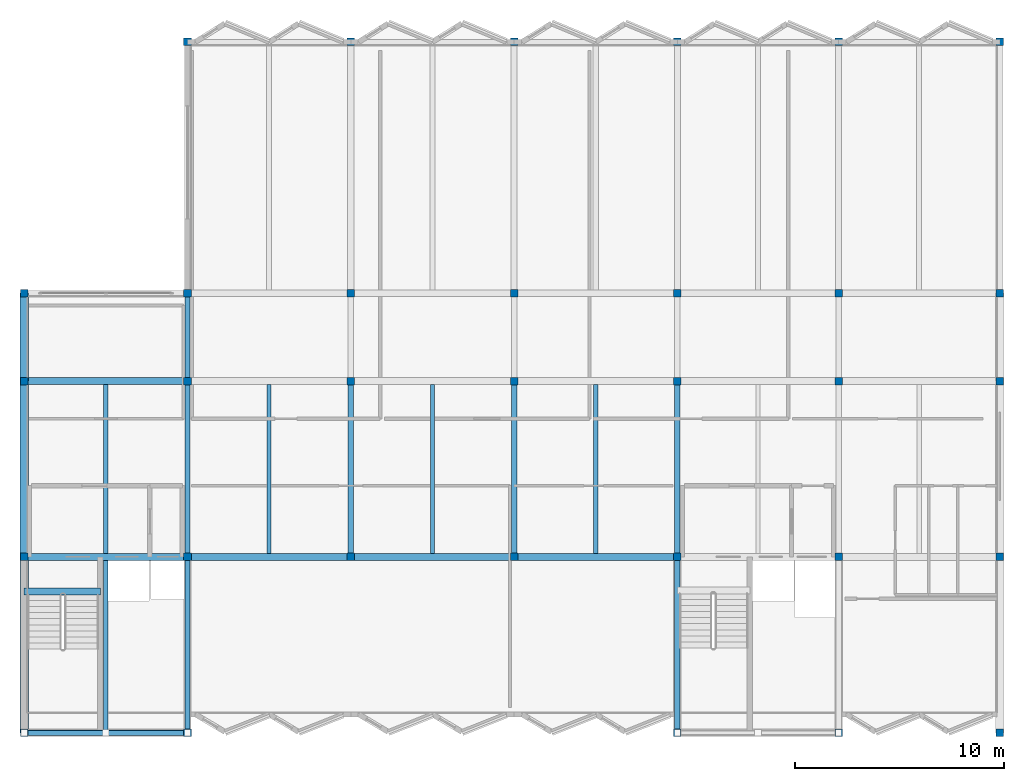
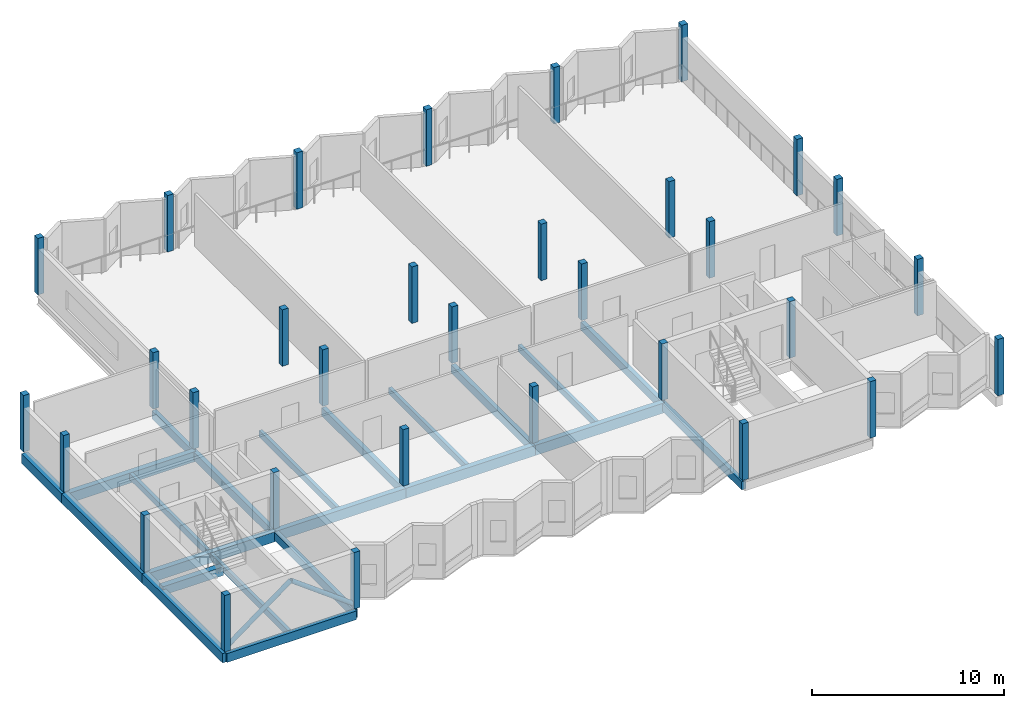
# One storey, part 1 of 11: 32 columns, 22 beams, 2 members.
"""IFC4 building model written with IfcOpenShell, lengths in metres."""

from ifc_helpers import new_model, si_unit, direction, frame, origin, origin_2d, place, context, subcontext, project, spatial, rectangle, hollow_circle, extrude, material, material_profile, profile_set, type_object, element, save


model = new_model("IFC4")

# Units and contexts
model_context = context("Model", 3, precision=1e-05, world=origin(), true_north=direction((0.0, 1.0)))
body_context = subcontext(model_context, "Body", "Model", "MODEL_VIEW")
ifc_project = project(units=[si_unit("LENGTHUNIT", "METRE"), si_unit("AREAUNIT", "SQUARE_METRE"), si_unit("VOLUMEUNIT", "CUBIC_METRE"), si_unit("PLANEANGLEUNIT", "RADIAN"), si_unit("MASSUNIT", "GRAM", prefix="KILO")], contexts=[model_context])

# Site, building, storey
site_placement = place(None, origin())
site = spatial("IfcSite", under=ifc_project, at=site_placement, CompositionType="ELEMENT")
building_placement = place(site_placement, origin())
building = spatial("IfcBuilding", under=site, at=building_placement, Name="Vharandega Faculty of Natural Sciences", CompositionType="ELEMENT")
storey_placement = place(building_placement, frame((0.0, 0.0, 39.60009765625)))
storey = spatial("IfcBuildingStorey", under=building, at=storey_placement, Name="L10", CompositionType="ELEMENT", Elevation=39.60009765625)

# Columns
ifc_material_1 = material(Name="Glulam GL32h", Category="wood")
ifc_material_profile_1 = material_profile(ifc_material_1, rectangle(XDim=0.360107421875, YDim=0.360107421875, at=origin_2d()), Name="GL32h 360x360")
ifc_profile_set_1 = profile_set([ifc_material_profile_1], Name="Glulam GL32h")
column_type = type_object("IfcColumnType", Name="Glulam Column 360x360", PredefinedType="COLUMN", material=ifc_profile_set_1)
for number, where, z_axis, x_axis, name in (
    (1, (114.800048828125, 64.0, 0.0), (0.0, 0.0, 1.0), (1.0, 0.0, 0.0), "Column 15/J L10"),
    (2, (114.800048828125, 72.39990234375, 0.0), (0.0, 0.0, 1.0), (1.0, 0.0, 0.0), "Column 15/K L10"),
    (3, (114.800048828125, 80.800048828125, 0.0), (0.0, 0.0, 1.0), (1.0, 0.0, 0.0), "Column 15/L L10"),
    (4, (114.800048828125, 85.0, 0.0), (0.0, 0.0, 1.0), (1.0, 0.0, 0.0), "Column 15/M L10"),
    (5, (122.60009765625, 64.0, 0.0), (0.0, 0.0, 1.0), (1.0, 0.0, 0.0), "Column 16/J L10"),
    (6, (122.60009765625, 72.39990234375, 0.0), (0.0, 0.0, 1.0), (1.0, 0.0, 0.0), "Column 16/K L10"),
    (7, (122.60009765625, 80.800048828125, 0.0), (0.0, 0.0, 1.0), (1.0, 0.0, 0.0), "Column 16/L L10"),
    (8, (122.60009765625, 85.0, 0.0), (0.0, 0.0, 1.0), (1.0, 0.0, 0.0), "Column 16/M L10"),
    (9, (122.60009765625, 97.0, 0.0), (0.0, 0.0, 1.0), (1.0, 0.0, 0.0), "Column 16/N L10"),
    (10, (130.39990234375, 72.39990234375, 0.0), (0.0, 0.0, 1.0), (1.0, 0.0, 0.0), "Column 17/K L10"),
    (11, (130.39990234375, 80.800048828125, 0.0), (0.0, 0.0, 1.0), (1.0, 0.0, 0.0), "Column 17/L L10"),
    (12, (130.39990234375, 85.0, 0.0), (0.0, 0.0, 1.0), (1.0, 0.0, 0.0), "Column 17/M L10"),
    (13, (130.39990234375, 97.0, 0.0), (0.0, 0.0, 1.0), (1.0, 0.0, 0.0), "Column 17/N L10"),
    (14, (138.199951171875, 72.39990234375, 0.0), (0.0, 0.0, 1.0), (1.0, 0.0, 0.0), "Column 18/K L10"),
    (15, (138.199951171875, 80.800048828125, 0.0), (0.0, 0.0, 1.0), (1.0, 0.0, 0.0), "Column 18/L L10"),
    (16, (138.199951171875, 85.0, 0.0), (0.0, 0.0, 1.0), (1.0, 0.0, 0.0), "Column 18/M L10"),
    (17, (138.199951171875, 97.0, 0.0), (0.0, 0.0, 1.0), (1.0, 0.0, 0.0), "Column 18/N L10"),
    (18, (146.0, 64.0, 0.0), (0.0, 0.0, 1.0), (1.0, 0.0, 0.0), "Column 19/J L10"),
    (19, (146.0, 72.39990234375, 0.0), (0.0, 0.0, 1.0), (1.0, 0.0, 0.0), "Column 19/K L10"),
    (20, (146.0, 80.800048828125, 0.0), (0.0, 0.0, 1.0), (1.0, 0.0, 0.0), "Column 19/L L10"),
    (21, (146.0, 85.0, 0.0), (0.0, 0.0, 1.0), (1.0, 0.0, 0.0), "Column 19/M L10"),
    (22, (146.0, 97.0, 0.0), (0.0, 0.0, 1.0), (1.0, 0.0, 0.0), "Column 19/N L10"),
    (23, (153.699951171875, 64.0, 0.0), (0.0, 0.0, 1.0), (1.0, 0.0, 0.0), "Column 20/J L10"),
    (24, (153.699951171875, 72.39990234375, 0.0), (0.0, 0.0, 1.0), (1.0, 0.0, 0.0), "Column 20/K L10"),
    (25, (153.699951171875, 80.800048828125, 0.0), (0.0, 0.0, 1.0), (1.0, 0.0, 0.0), "Column 20/L L10"),
    (26, (153.699951171875, 85.0, 0.0), (0.0, 0.0, 1.0), (1.0, 0.0, 0.0), "Column 20/M L10"),
    (27, (153.699951171875, 97.0, 0.0), (0.0, 0.0, 1.0), (1.0, 0.0, 0.0), "Column 20/N L10"),
    (28, (161.39990234375, 64.0, 0.0), (0.0, 0.0, 1.0), (1.0, 0.0, 0.0), "Column 21/J L10"),
    (29, (161.39990234375, 72.39990234375, 0.0), (0.0, 0.0, 1.0), (1.0, 0.0, 0.0), "Column 21/K L10"),
    (30, (161.39990234375, 80.800048828125, 0.0), (0.0, 0.0, 1.0), (1.0, 0.0, 0.0), "Column 21/L L10"),
    (31, (161.39990234375, 85.0, 0.0), (0.0, 0.0, 1.0), (1.0, 0.0, 0.0), "Column 21/M L10"),
    (32, (161.39990234375, 97.0, 0.0), (0.0, 0.0, 1.0), (1.0, 0.0, 0.0), "Column 21/N L10"),
):
    element("IfcColumn", number, at=place(storey_placement, frame(where, z_axis=z_axis, x_axis=x_axis)), inside=storey, type_object=column_type, Name=name, PredefinedType="COLUMN", context=body_context, shape_type="SweptSolid", body=[
        extrude(rectangle(XDim=0.360107421875, YDim=0.360107421875, at=origin_2d()), origin(), (0.0, 0.0, 1.0), 3.599853515625),
    ])

# Beams
ifc_material_2 = material(Name="Glulam GL28h", Category="wood")
ifc_material_profile_2 = material_profile(ifc_material_2, rectangle(XDim=0.260009765625, YDim=0.52001953125, at=origin_2d()), Name="GL28h 260x520")
ifc_profile_set_2 = profile_set([ifc_material_profile_2], Name="Glulam GL28h")
beam_type_1 = type_object("IfcBeamType", Name="Glulam Floor Beam 260x520", PredefinedType="BEAM", material=ifc_profile_set_2)
beam_1_placement = place(storey_placement, frame((122.60009765625, 64.0, -0.460205078125), z_axis=(0.0, 1.0, 0.0), x_axis=(-1.0, 0.0, 0.0)))
element("IfcBeam", 33, at=beam_1_placement, inside=storey, type_object=beam_type_1, Name="Beam L10 16/J-K", PredefinedType="BEAM", context=body_context, shape_type="SweptSolid", body=[
    extrude(rectangle(XDim=0.260009765625, YDim=0.52001953125, at=origin_2d()), origin(), (0.0, 0.0, 1.0), 8.39990234375),
])
beam_2_placement = place(storey_placement, frame((122.60009765625, 72.39990234375, -0.460205078125), z_axis=(0.0, 1.0, 0.0), x_axis=(-1.0, 0.0, 0.0)))
element("IfcBeam", 34, at=beam_2_placement, inside=storey, type_object=beam_type_1, Name="Beam L10 16/K-L", PredefinedType="BEAM", context=body_context, shape_type="SweptSolid", body=[
    extrude(rectangle(XDim=0.260009765625, YDim=0.52001953125, at=origin_2d()), origin(), (0.0, 0.0, 1.0), 8.400146484375),
])
beam_3_placement = place(storey_placement, frame((122.60009765625, 80.800048828125, -0.460205078125), z_axis=(0.0, 1.0, 0.0), x_axis=(-1.0, 0.0, 0.0)))
element("IfcBeam", 35, at=beam_3_placement, inside=storey, type_object=beam_type_1, Name="Beam L10 16/L-M", PredefinedType="BEAM", context=body_context, shape_type="SweptSolid", body=[
    extrude(rectangle(XDim=0.260009765625, YDim=0.52001953125, at=origin_2d()), origin(), (0.0, 0.0, 1.0), 4.199951171875),
])
for number, where, z_axis, x_axis, name in (
    (36, (130.39990234375, 72.39990234375, -0.460205078125), (0.0, 1.0, 0.0), (-1.0, 0.0, 0.0), "Beam L10 17/K-L"),
    (37, (138.199951171875, 72.39990234375, -0.460205078125), (0.0, 1.0, 0.0), (-1.0, 0.0, 0.0), "Beam L10 18/K-L"),
):
    element("IfcBeam", number, at=place(storey_placement, frame(where, z_axis=z_axis, x_axis=x_axis)), inside=storey, type_object=beam_type_1, Name=name, PredefinedType="BEAM", context=body_context, shape_type="SweptSolid", body=[
        extrude(rectangle(XDim=0.260009765625, YDim=0.52001953125, at=origin_2d()), origin(), (0.0, 0.0, 1.0), 8.400146484375),
    ])
beam_4_placement = place(storey_placement, frame((146.0, 64.0, -0.460205078125), z_axis=(0.0, 1.0, 0.0), x_axis=(-1.0, 0.0, 0.0)))
element("IfcBeam", 38, at=beam_4_placement, inside=storey, type_object=beam_type_1, Name="Beam L10 19/J-K", PredefinedType="BEAM", context=body_context, shape_type="SweptSolid", body=[
    extrude(rectangle(XDim=0.260009765625, YDim=0.52001953125, at=origin_2d()), origin(), (0.0, 0.0, 1.0), 8.39990234375),
])
beam_5_placement = place(storey_placement, frame((146.0, 72.39990234375, -0.460205078125), z_axis=(0.0, 1.0, 0.0), x_axis=(-1.0, 0.0, 0.0)))
element("IfcBeam", 39, at=beam_5_placement, inside=storey, type_object=beam_type_1, Name="Beam L10 19/K-L", PredefinedType="BEAM", context=body_context, shape_type="SweptSolid", body=[
    extrude(rectangle(XDim=0.260009765625, YDim=0.52001953125, at=origin_2d()), origin(), (0.0, 0.0, 1.0), 8.400146484375),
])
ifc_material_3 = material(Name="Glulam GL28h", Category="wood")
ifc_material_profile_3 = material_profile(ifc_material_3, rectangle(XDim=0.320068359375, YDim=0.639892578125, at=origin_2d()), Name="GL28h 320x640")
ifc_profile_set_3 = profile_set([ifc_material_profile_3], Name="Glulam GL28h")
beam_type_2 = type_object("IfcBeamType", Name="Glulam Floor Beam 320x640", PredefinedType="BEAM", material=ifc_profile_set_3)
beam_6_placement = place(storey_placement, frame((114.800048828125, 72.39990234375, -0.52001953125), z_axis=(1.0, 0.0, 0.0), x_axis=(0.0, 1.0, 0.0)))
element("IfcBeam", 40, at=beam_6_placement, inside=storey, type_object=beam_type_2, Name="Beam L10 K/15-16", PredefinedType="BEAM", context=body_context, shape_type="SweptSolid", body=[
    extrude(rectangle(XDim=0.320068359375, YDim=0.639892578125, at=origin_2d()), origin(), (0.0, 0.0, 1.0), 7.800048828125),
])
beam_7_placement = place(storey_placement, frame((122.60009765625, 72.39990234375, -0.52001953125), z_axis=(1.0, 0.0, 0.0), x_axis=(0.0, 1.0, 0.0)))
element("IfcBeam", 41, at=beam_7_placement, inside=storey, type_object=beam_type_2, Name="Beam L10 K/16-17", PredefinedType="BEAM", context=body_context, shape_type="SweptSolid", body=[
    extrude(rectangle(XDim=0.320068359375, YDim=0.639892578125, at=origin_2d()), origin(), (0.0, 0.0, 1.0), 7.7998046875),
])
for number, where, z_axis, x_axis, name in (
    (42, (130.39990234375, 72.39990234375, -0.52001953125), (1.0, 0.0, 0.0), (0.0, 1.0, 0.0), "Beam L10 K/17-18"),
    (43, (138.199951171875, 72.39990234375, -0.52001953125), (1.0, 0.0, 0.0), (0.0, 1.0, 0.0), "Beam L10 K/18-19"),
    (44, (114.800048828125, 80.800048828125, -0.52001953125), (1.0, 0.0, 0.0), (0.0, 1.0, 0.0), "Beam L10 L/15-16"),
):
    element("IfcBeam", number, at=place(storey_placement, frame(where, z_axis=z_axis, x_axis=x_axis)), inside=storey, type_object=beam_type_2, Name=name, PredefinedType="BEAM", context=body_context, shape_type="SweptSolid", body=[
        extrude(rectangle(XDim=0.320068359375, YDim=0.639892578125, at=origin_2d()), origin(), (0.0, 0.0, 1.0), 7.800048828125),
    ])
ifc_material_4 = material(Name="Glulam GL28h", Category="wood")
ifc_material_profile_4 = material_profile(ifc_material_4, rectangle(XDim=0.199951171875, YDim=0.39990234375, at=origin_2d()), Name="GL28h 200x400")
ifc_profile_set_4 = profile_set([ifc_material_profile_4], Name="Glulam GL28h")
beam_type_3 = type_object("IfcBeamType", Name="Glulam Secondary Joist 200x400", PredefinedType="JOIST", material=ifc_profile_set_4)
beam_8_placement = place(storey_placement, frame((118.699951171875, 64.1201171875, -0.400146484375), z_axis=(0.0, 1.0, 0.0), x_axis=(-1.0, 0.0, 0.0)))
element("IfcBeam", 45, at=beam_8_placement, inside=storey, type_object=beam_type_3, Name="Secondary Joist L10 15-16/J-K", PredefinedType="JOIST", context=body_context, shape_type="SweptSolid", body=[
    extrude(rectangle(XDim=0.199951171875, YDim=0.39990234375, at=origin_2d()), origin(), (0.0, 0.0, 1.0), 8.119873046875),
])
for number, where, z_axis, x_axis, name in (
    (46, (118.699951171875, 72.56005859375, -0.400146484375), (0.0, 1.0, 0.0), (-1.0, 0.0, 0.0), "Secondary Joist L10 15-16/K-L"),
    (47, (126.5, 72.56005859375, -0.400146484375), (0.0, 1.0, 0.0), (-1.0, 0.0, 0.0), "Secondary Joist L10 16-17/K-L"),
    (48, (134.300048828125, 72.56005859375, -0.400146484375), (0.0, 1.0, 0.0), (-1.0, 0.0, 0.0), "Secondary Joist L10 17-18/K-L"),
    (49, (142.10009765625, 72.56005859375, -0.400146484375), (0.0, 1.0, 0.0), (-1.0, 0.0, 0.0), "Secondary Joist L10 18-19/K-L"),
):
    element("IfcBeam", number, at=place(storey_placement, frame(where, z_axis=z_axis, x_axis=x_axis)), inside=storey, type_object=beam_type_3, Name=name, PredefinedType="JOIST", context=body_context, shape_type="SweptSolid", body=[
        extrude(rectangle(XDim=0.199951171875, YDim=0.39990234375, at=origin_2d()), origin(), (0.0, 0.0, 1.0), 8.079833984375),
    ])
ifc_material_5 = material(Name="Glulam GL28h", Category="wood")
ifc_material_profile_5 = material_profile(ifc_material_5, rectangle(XDim=0.239990234375, YDim=0.56005859375, at=origin_2d()), Name="GL28h 240x560")
ifc_profile_set_5 = profile_set([ifc_material_profile_5], Name="Glulam GL28h")
beam_type_4 = type_object("IfcBeamType", Name="Glulam Spandrel Edge Beam 240x560", PredefinedType="SPANDREL", material=ifc_profile_set_5)
beam_9_placement = place(storey_placement, frame((114.800048828125, 64.0, -0.47998046875), z_axis=(1.0, 0.0, 0.0), x_axis=(0.0, 1.0, 0.0)))
element("IfcBeam", 50, at=beam_9_placement, inside=storey, type_object=beam_type_4, Name="Beam L10 J/15-16", PredefinedType="SPANDREL", context=body_context, shape_type="SweptSolid", body=[
    extrude(rectangle(XDim=0.239990234375, YDim=0.56005859375, at=origin_2d()), origin(), (0.0, 0.0, 1.0), 7.800048828125),
])
ifc_material_6 = material(Name="Glulam GL32h", Category="wood")
ifc_material_profile_6 = material_profile(ifc_material_6, rectangle(XDim=0.39990234375, YDim=0.60009765625, at=origin_2d()), Name="GL32h 400x600")
ifc_profile_set_6 = profile_set([ifc_material_profile_6], Name="Glulam GL32h")
beam_type_5 = type_object("IfcBeamType", Name="Glulam Spine Girder 400x600", PredefinedType="BEAM", material=ifc_profile_set_6)
beam_10_placement = place(storey_placement, frame((114.800048828125, 64.0, -0.5), z_axis=(0.0, 1.0, 0.0), x_axis=(-1.0, 0.0, 0.0)))
element("IfcBeam", 51, at=beam_10_placement, inside=storey, type_object=beam_type_5, Name="Beam L10 15/J-K", PredefinedType="BEAM", context=body_context, shape_type="SweptSolid", body=[
    extrude(rectangle(XDim=0.39990234375, YDim=0.60009765625, at=origin_2d()), origin(), (0.0, 0.0, 1.0), 8.39990234375),
])
beam_11_placement = place(storey_placement, frame((114.800048828125, 72.39990234375, -0.5), z_axis=(0.0, 1.0, 0.0), x_axis=(-1.0, 0.0, 0.0)))
element("IfcBeam", 52, at=beam_11_placement, inside=storey, type_object=beam_type_5, Name="Beam L10 15/K-L", PredefinedType="BEAM", context=body_context, shape_type="SweptSolid", body=[
    extrude(rectangle(XDim=0.39990234375, YDim=0.60009765625, at=origin_2d()), origin(), (0.0, 0.0, 1.0), 8.400146484375),
])
beam_12_placement = place(storey_placement, frame((114.800048828125, 80.800048828125, -0.5), z_axis=(0.0, 1.0, 0.0), x_axis=(-1.0, 0.0, 0.0)))
element("IfcBeam", 53, at=beam_12_placement, inside=storey, type_object=beam_type_5, Name="Beam L10 15/L-M", PredefinedType="BEAM", context=body_context, shape_type="SweptSolid", body=[
    extrude(rectangle(XDim=0.39990234375, YDim=0.60009765625, at=origin_2d()), origin(), (0.0, 0.0, 1.0), 4.199951171875),
])

# Members
ifc_material_7 = material(Name="Steel S355", Category="steel")
ifc_material_profile_7 = material_profile(ifc_material_7, hollow_circle(Radius=0.136474609375, WallThickness=0.01611328125, at=origin_2d()), Name="CHS 273x16")
ifc_profile_set_7 = profile_set([ifc_material_profile_7], Name="Steel S355")
member_type = type_object("IfcMemberType", Name="Perimeter Chevron Brace CHS 273", PredefinedType="BRACE", material=ifc_profile_set_7)
member_1_placement = place(storey_placement, frame((114.800048828125, 64.0, 0.14990234375), z_axis=(0.803451150583, 0.0, 0.595370681699), x_axis=(0.0, 1.0, 0.0)))
element("IfcMember", 54, at=member_1_placement, inside=storey, type_object=member_type, Name="Chevron Brace J L10-1", PredefinedType="BRACE", context=body_context, shape_type="SweptSolid", body=[
    extrude(hollow_circle(Radius=0.136474609375, WallThickness=0.01611328125, at=origin_2d()), origin(), (0.0, 0.0, 1.0), 4.85400390625),
])
member_2_placement = place(storey_placement, frame((122.60009765625, 64.0, 0.14990234375), z_axis=(-0.803468978244, 0.0, 0.595346622565), x_axis=(0.0, -1.0, 0.0)))
element("IfcMember", 55, at=member_2_placement, inside=storey, type_object=member_type, Name="Chevron Brace J L10-2", PredefinedType="BRACE", context=body_context, shape_type="SweptSolid", body=[
    extrude(hollow_circle(Radius=0.136474609375, WallThickness=0.01611328125, at=origin_2d()), origin(), (0.0, 0.0, 1.0), 4.854248046875),
])

# Beam
ifc_material_8 = material(Name="Concrete C40/50", Category="concrete")
ifc_material_profile_8 = material_profile(ifc_material_8, rectangle(XDim=0.35009765625, YDim=0.550048828125, at=origin_2d()), Name="RC 350x550")
ifc_profile_set_8 = profile_set([ifc_material_profile_8], Name="Concrete C40/50")
beam_type_6 = type_object("IfcBeamType", Name="Stair Header Trimmer Beam 350x550", PredefinedType="BEAM", material=ifc_profile_set_8)
beam_13_placement = place(storey_placement, frame((114.800048828125, 70.75, -0.275146484375), z_axis=(1.0, 0.0, 0.0), x_axis=(0.0, 1.0, 0.0)))
element("IfcBeam", 56, at=beam_13_placement, inside=storey, type_object=beam_type_6, Name="Stair Landing Trimmer Beam C1 L10", PredefinedType="BEAM", context=body_context, shape_type="SweptSolid", body=[
    extrude(rectangle(XDim=0.35009765625, YDim=0.550048828125, at=origin_2d()), origin(), (0.0, 0.0, 1.0), 3.639892578125),
])

save(model, "model.ifc")
